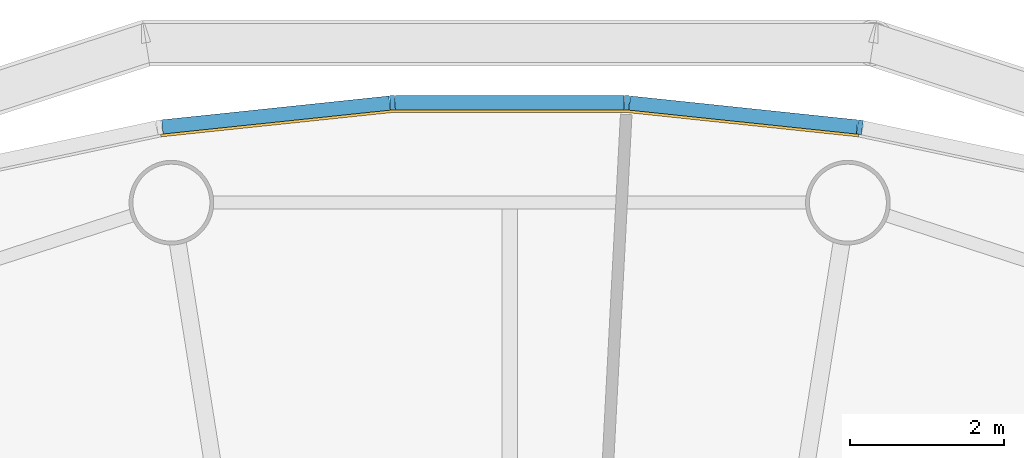
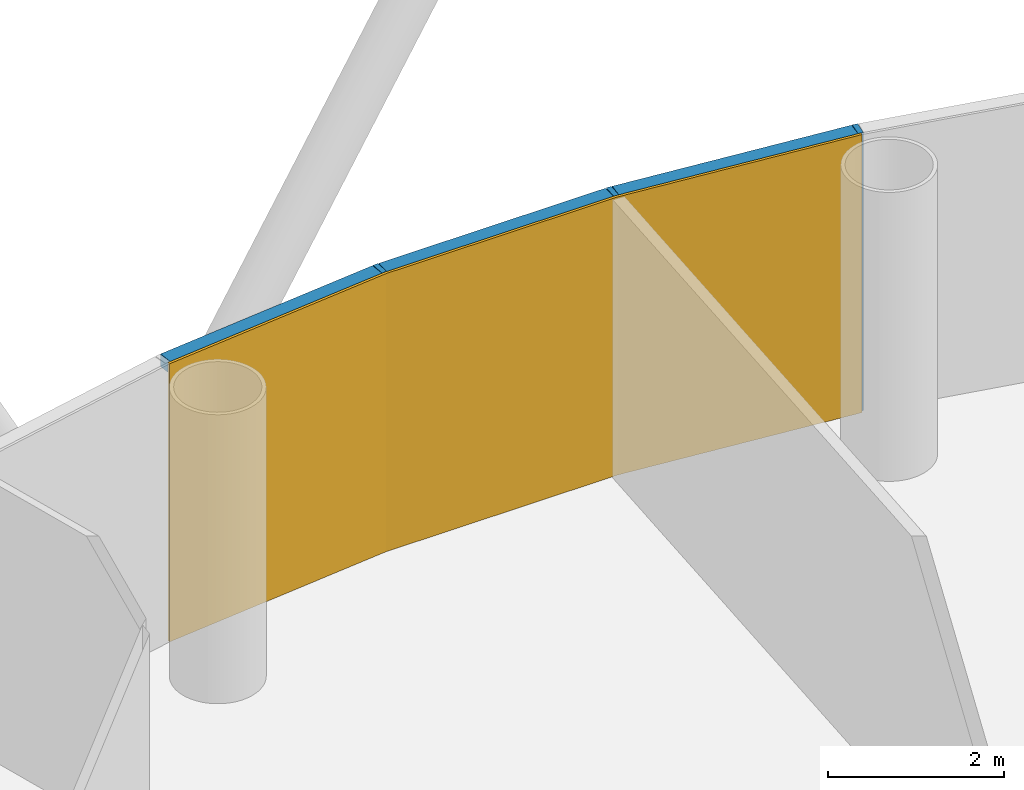
# One storey, part 11 of 13: 6 members, 1 curtain wall.
"""IFC4 building model written with IfcOpenShell, lengths in metres."""

from ifc_helpers import new_model, si_unit, direction, frame, origin, origin_2d, place, context, subcontext, project, spatial, polyline, rectangle, outline, extrude, material, layer, layer_set, material_profile, profile_set, type_object, element, aggregate, save


model = new_model("IFC4")

# Units and contexts
model_context = context("Model", 3, precision=1e-05, world=origin(), true_north=direction((0.0, 1.0)))
body_context = subcontext(model_context, "Body", "Model", "MODEL_VIEW")
ifc_project = project(units=[si_unit("LENGTHUNIT", "METRE"), si_unit("AREAUNIT", "SQUARE_METRE"), si_unit("VOLUMEUNIT", "CUBIC_METRE"), si_unit("PLANEANGLEUNIT", "RADIAN"), si_unit("MASSUNIT", "GRAM", prefix="KILO")], contexts=[model_context])

# Member
ifc_material_1 = material(Name="Anodised aluminium", Category="aluminium")
ifc_material_profile_1 = material_profile(ifc_material_1, rectangle(XDim=0.06494140625, YDim=0.18505859375, at=origin_2d()), Name="Mullion 65 x 185 mm anodised aluminium")
ifc_profile_set_1 = profile_set([ifc_material_profile_1], Name="Anodised aluminium")
member_type_1 = type_object("IfcMemberType", Name="Mullion 65 x 185 mm anodised aluminium", PredefinedType="MULLION", material=ifc_profile_set_1)
site_placement = place(None, origin())
building_placement = place(site_placement, origin())
storey_placement = place(building_placement, frame((0.0, 0.0, 164.0)))
member_1_placement = place(storey_placement, frame((94.551025390625, 108.734375, 0.0), z_axis=(0.0, 0.0, 1.0), x_axis=(-0.987688340595, 0.15643446504, 0.0)))
member_1 = element("IfcMember", 1, at=member_1_placement, type_object=member_type_1, Name="MULLION L37-12", PredefinedType="MULLION", context=body_context, shape_type="SweptSolid", body=[
    extrude(rectangle(XDim=0.06494140625, YDim=0.18505859375, at=origin_2d()), origin(), (0.0, 0.0, 1.0), 3.85009765625),
])

member_2_placement = place(storey_placement, frame((91.522705078125, 109.052734375, 0.0), z_axis=(0.0, 0.0, 1.0), x_axis=(-0.998629534755, 0.052335956243, 0.0)))
member_2 = element("IfcMember", 2, at=member_2_placement, type_object=member_type_1, Name="MULLION L37-13", PredefinedType="MULLION", context=body_context, shape_type="SweptSolid", body=[
    extrude(rectangle(XDim=0.06494140625, YDim=0.18505859375, at=origin_2d()), origin(), (0.0, 0.0, 1.0), 3.85009765625),
])

member_3_placement = place(storey_placement, frame((88.477294921875, 109.052734375, 0.0), z_axis=(0.0, 0.0, 1.0), x_axis=(-0.998629534755, -0.052335956243, 0.0)))
member_3 = element("IfcMember", 3, at=member_3_placement, type_object=member_type_1, Name="MULLION L37-14", PredefinedType="MULLION", context=body_context, shape_type="SweptSolid", body=[
    extrude(rectangle(XDim=0.06494140625, YDim=0.18505859375, at=origin_2d()), origin(), (0.0, 0.0, 1.0), 3.85009765625),
])

ifc_material_2 = material(Name="Anodised aluminium", Category="aluminium")
ifc_material_profile_2 = material_profile(ifc_material_2, rectangle(XDim=0.18505859375, YDim=0.175048828125, at=origin_2d()), Name="Transom 175 x 185 mm anodised aluminium")
ifc_profile_set_2 = profile_set([ifc_material_profile_2], Name="Anodised aluminium")
member_type_2 = type_object("IfcMemberType", Name="Transom 175 x 185 mm anodised aluminium", PredefinedType="USERDEFINED", material=ifc_profile_set_2)
member_4_placement = place(storey_placement, frame((94.513916015625, 108.73828125, 3.762451171875), z_axis=(-0.994519855197, 0.104547872381, 0.0), x_axis=(-0.104547872381, -0.994519855197, 0.0)))
member_4 = element("IfcMember", 4, at=member_4_placement, type_object=member_type_2, Name="TRANSOM L37-12", ObjectType="TRANSOM", PredefinedType="USERDEFINED", context=body_context, shape_type="SweptSolid", body=[
    extrude(rectangle(XDim=0.18505859375, YDim=0.175048828125, at=origin_2d()), origin(), (0.0, 0.0, 1.0), 2.970458984375),
])

member_5_placement = place(storey_placement, frame((91.4853515625, 109.052734375, 3.762451171875), z_axis=(-1.0, 0.0, 0.0), x_axis=(0.0, -1.0, 0.0)))
member_5 = element("IfcMember", 5, at=member_5_placement, type_object=member_type_2, Name="TRANSOM L37-13", ObjectType="TRANSOM", PredefinedType="USERDEFINED", context=body_context, shape_type="SweptSolid", body=[
    extrude(rectangle(XDim=0.18505859375, YDim=0.175048828125, at=origin_2d()), origin(), (0.0, 0.0, 1.0), 2.970703125),
])

member_6_placement = place(storey_placement, frame((88.440185546875, 109.048828125, 3.762451171875), z_axis=(-0.994519855197, -0.104547872381, 0.0), x_axis=(0.104547872381, -0.994519855197, 0.0)))
member_6 = element("IfcMember", 6, at=member_6_placement, type_object=member_type_2, Name="TRANSOM L37-14", ObjectType="TRANSOM", PredefinedType="USERDEFINED", context=body_context, shape_type="SweptSolid", body=[
    extrude(rectangle(XDim=0.18505859375, YDim=0.175048828125, at=origin_2d()), origin(), (0.0, 0.0, 1.0), 2.970458984375),
])

# Site, building, storey
site = spatial("IfcSite", under=ifc_project, at=site_placement, CompositionType="ELEMENT")
building = spatial("IfcBuilding", under=site, at=building_placement, Name="Entoto Ring Tower", CompositionType="ELEMENT")
storey = spatial("IfcBuildingStorey", under=building, at=storey_placement, Name="L37", CompositionType="ELEMENT", Elevation=164.0)

# Curtain wall
ifc_material_3 = material(Name="Clear low-iron glass", Category="glass")
ifc_layer = layer(ifc_material_3, 0.033935546875)
ifc_layer_set = layer_set([ifc_layer], Name="Clear low-iron glass")
curtain_wall_type = type_object("IfcCurtainWallType", Name="Curtain wall system CW3 glazing 34 mm", PredefinedType="NOTDEFINED", material=ifc_layer_set)
curtain_wall_placement = place(storey_placement, origin())
curtain_wall = element("IfcCurtainWall", 7, at=curtain_wall_placement, inside=storey, type_object=curtain_wall_type, Name="CW3 L37-05", PredefinedType="NOTDEFINED", context=body_context, shape_type="SweptSolid", body=[
    extrude(outline(polyline([(94.53662109375, 108.64306640625), (91.517822265625, 108.960205078125), (88.482177734375, 108.960205078125), (85.46337890625, 108.64306640625), (85.46875, 108.609375), (88.484130859375, 108.92626953125), (91.515869140625, 108.92626953125), (94.53125, 108.609375), (94.53662109375, 108.64306640625)])), origin(), (0.0, 0.0, 1.0), 3.85009765625),
])

aggregate(curtain_wall, [member_1, member_2, member_3, member_4, member_5, member_6])

save(model, "model.ifc")
